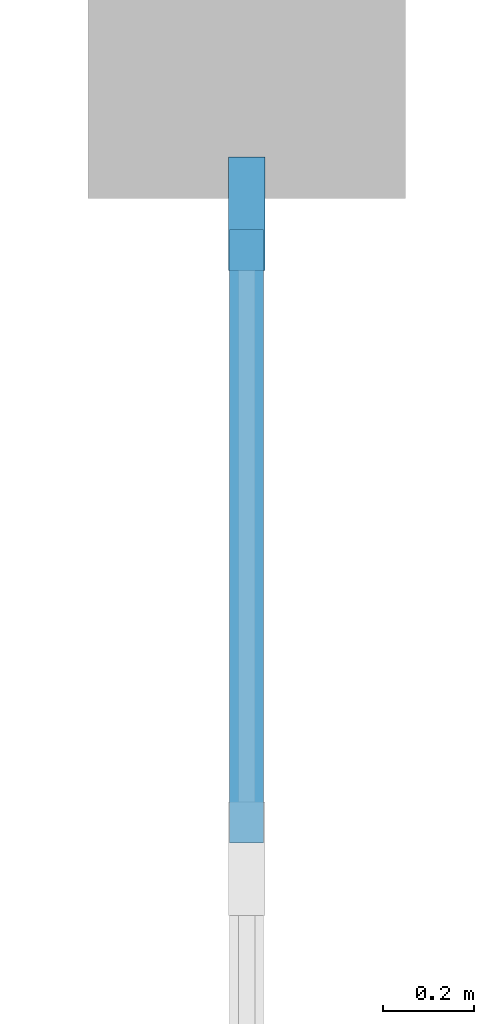
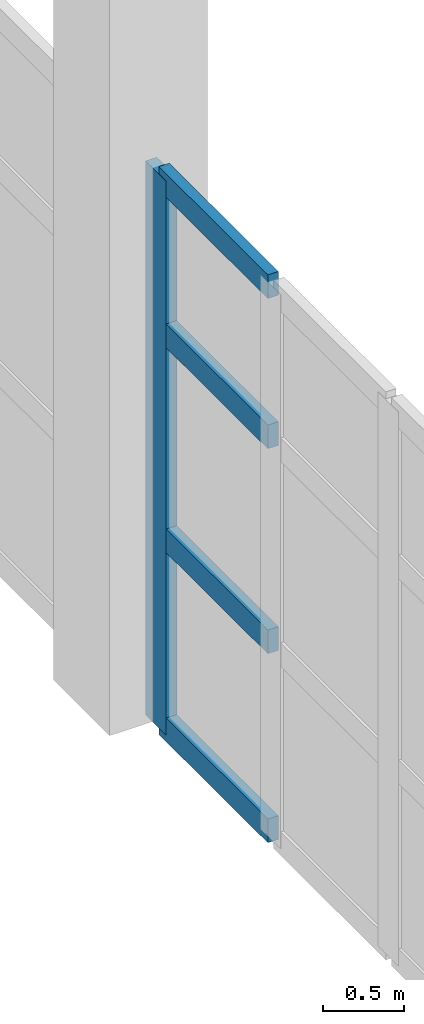
# One storey, part 15 of 66: 5 members, 1 element without a shape of its own.
"""IFC4 building model written with IfcOpenShell, lengths in metres."""

from ifc_helpers import new_model, si_unit, direction, frame, origin, origin_2d, place, context, subcontext, project, spatial, rectangle, extrude, material, layer, layer_set, material_profile, profile_set, type_object, element, aggregate, save


model = new_model("IFC4")

# Units and contexts
model_context = context("Model", 3, precision=1e-05, world=origin(), true_north=direction((0.0, 1.0)))
body_context = subcontext(model_context, "Body", "Model", "MODEL_VIEW")
ifc_project = project(units=[si_unit("LENGTHUNIT", "METRE"), si_unit("AREAUNIT", "SQUARE_METRE"), si_unit("VOLUMEUNIT", "CUBIC_METRE"), si_unit("PLANEANGLEUNIT", "RADIAN"), si_unit("MASSUNIT", "GRAM", prefix="KILO")], contexts=[model_context])

# Site, building, storey
site_placement = place(None, origin())
site = spatial("IfcSite", under=ifc_project, at=site_placement, CompositionType="ELEMENT")
building_placement = place(site_placement, origin())
building = spatial("IfcBuilding", under=site, at=building_placement, Name="Drelvana Railside Aquatics Centre", CompositionType="ELEMENT")
storey_placement = place(building_placement, frame((0.0, 0.0, 10.199951171875)))
storey = spatial("IfcBuildingStorey", under=building, at=storey_placement, Name="L02", CompositionType="ELEMENT", Elevation=10.199951171875)

# Curtain wall, members
ifc_material_1 = material(Name="Bronze-anodised aluminium curtain wall", Category="aluminium")
ifc_layer = layer(ifc_material_1, 0.219970703125, Name="Bronze-anodised aluminium curtain wall")
ifc_layer_set = layer_set([ifc_layer], Name="Bronze-anodised aluminium curtain wall")
curtain_wall_type = type_object("IfcCurtainWallType", Name="CW-Z3-HIGH", PredefinedType="NOTDEFINED", material=ifc_layer_set)
curtain_wall_placement = place(storey_placement, origin())
curtain_wall = element("IfcCurtainWall", 1, at=curtain_wall_placement, inside=storey, type_object=curtain_wall_type, Name="Curtain wall CW-03-072", PredefinedType="NOTDEFINED")
ifc_material_2 = material(Name="Bronze-anodised aluminium 6063-T6", Category="aluminium")
ifc_material_profile_1 = material_profile(ifc_material_2, rectangle(XDim=0.080078125, YDim=0.25, at=origin_2d()), Name="ALU-M 80x250")
ifc_profile_set_1 = profile_set([ifc_material_profile_1], Name="Bronze-anodised aluminium 6063-T6")
member_type_1 = type_object("IfcMemberType", Name="CW-Z3-HIGH-MUL", PredefinedType="MULLION", material=ifc_profile_set_1)
member_1_placement = place(storey_placement, frame((96.0, 63.615966796875, -0.005859375), z_axis=(0.0, 0.0, 1.0), x_axis=(-1.0, 0.0, 0.0)))
member_1 = element("IfcMember", 2, at=member_1_placement, type_object=member_type_1, Name="CW-03 mullion 6", PredefinedType="MULLION", context=body_context, shape_type="SweptSolid", body=[
    extrude(rectangle(XDim=0.080078125, YDim=0.25, at=origin_2d()), origin(), (0.0, 0.0, 1.0), 4.19580078125),
])
ifc_material_profile_2 = material_profile(ifc_material_2, rectangle(XDim=0.179931640625, YDim=0.074951171875, at=origin_2d()), Name="ALU-T 75x180")
ifc_profile_set_2 = profile_set([ifc_material_profile_2], Name="Bronze-anodised aluminium 6063-T6")
member_type_2 = type_object("IfcMemberType", Name="CW-Z3-HIGH-TRN", PredefinedType="USERDEFINED", material=ifc_profile_set_2)
member_2_placement = place(storey_placement, frame((96.0, 62.228515625, 0.031494140625), z_axis=(0.0, 1.0, 0.0), x_axis=(0.0, 0.0, 1.0)))
member_2 = element("IfcMember", 3, at=member_2_placement, type_object=member_type_2, Name="CW-03 transom 5.1", ObjectType="TRANSOM", PredefinedType="USERDEFINED", context=body_context, shape_type="SweptSolid", body=[
    extrude(rectangle(XDim=0.179931640625, YDim=0.074951171875, at=origin_2d()), origin(), (0.0, 0.0, 1.0), 1.3525390625),
])
member_3_placement = place(storey_placement, frame((96.0, 62.228515625, 1.463134765625), z_axis=(0.0, 1.0, 0.0), x_axis=(0.0, 0.0, 1.0)))
member_3 = element("IfcMember", 4, at=member_3_placement, type_object=member_type_2, Name="CW-03 transom 5.2", ObjectType="TRANSOM", PredefinedType="USERDEFINED", context=body_context, shape_type="SweptSolid", body=[
    extrude(rectangle(XDim=0.179931640625, YDim=0.074951171875, at=origin_2d()), origin(), (0.0, 0.0, 1.0), 1.3525390625),
])
member_4_placement = place(storey_placement, frame((96.0, 62.228515625, 3.01513671875), z_axis=(0.0, 1.0, 0.0), x_axis=(0.0, 0.0, 1.0)))
member_4 = element("IfcMember", 5, at=member_4_placement, type_object=member_type_2, Name="CW-03 transom 5.3", ObjectType="TRANSOM", PredefinedType="USERDEFINED", context=body_context, shape_type="SweptSolid", body=[
    extrude(rectangle(XDim=0.179931640625, YDim=0.074951171875, at=origin_2d()), origin(), (0.0, 0.0, 1.0), 1.3525390625),
])
member_5_placement = place(storey_placement, frame((96.0, 62.228515625, 4.152587890625), z_axis=(0.0, 1.0, 0.0), x_axis=(0.0, 0.0, 1.0)))
member_5 = element("IfcMember", 6, at=member_5_placement, type_object=member_type_2, Name="CW-03 transom 5.4", ObjectType="TRANSOM", PredefinedType="USERDEFINED", context=body_context, shape_type="SweptSolid", body=[
    extrude(rectangle(XDim=0.179931640625, YDim=0.074951171875, at=origin_2d()), origin(), (0.0, 0.0, 1.0), 1.3525390625),
])
aggregate(curtain_wall, [member_1, member_2, member_3, member_4, member_5])

save(model, "model.ifc")
